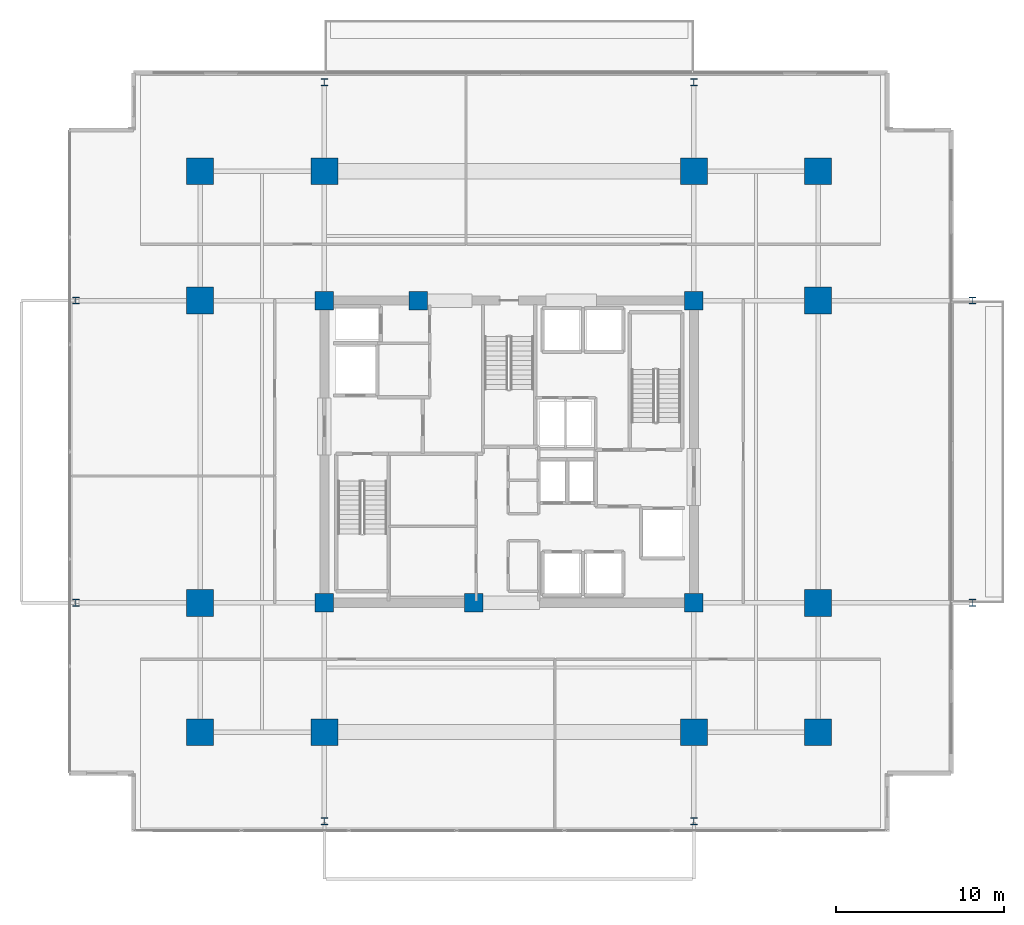
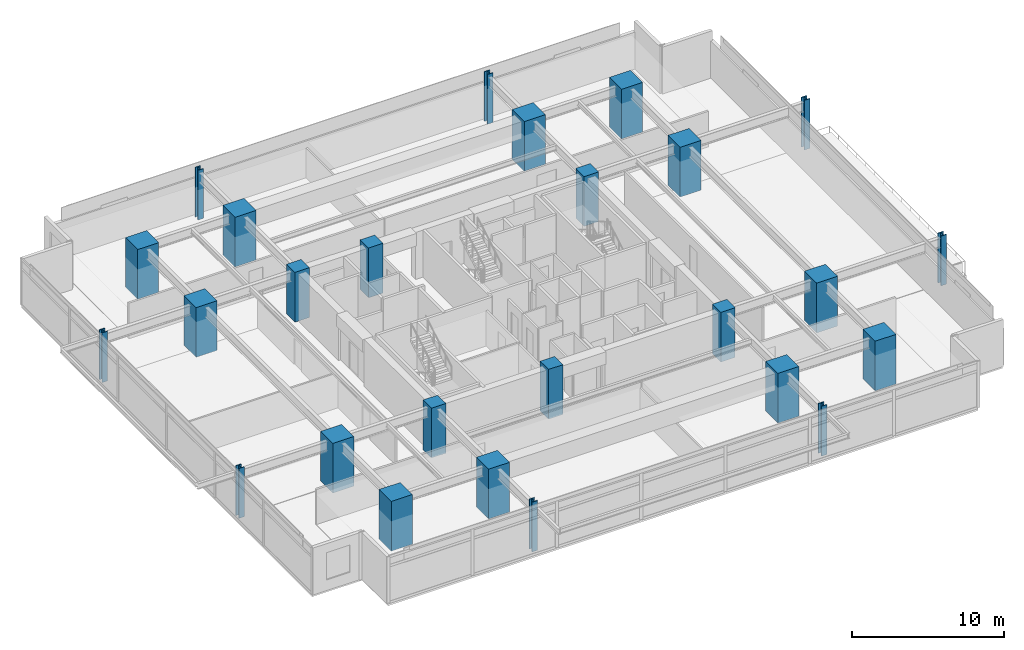
# One storey, part 1 of 24: 26 columns.
"""IFC4 building model written with IfcOpenShell, lengths in metres."""

from ifc_helpers import new_model, si_unit, direction, frame, origin, origin_2d, place, context, subcontext, project, spatial, rectangle, i_section, extrude, material, material_profile, profile_set, type_object, element, save


model = new_model("IFC4")

# Units and contexts
model_context = context("Model", 3, precision=1e-05, world=origin(), true_north=direction((0.0, 1.0)))
body_context = subcontext(model_context, "Body", "Model", "MODEL_VIEW")
ifc_project = project(units=[si_unit("LENGTHUNIT", "METRE"), si_unit("AREAUNIT", "SQUARE_METRE"), si_unit("VOLUMEUNIT", "CUBIC_METRE"), si_unit("PLANEANGLEUNIT", "RADIAN"), si_unit("MASSUNIT", "GRAM", prefix="KILO")], contexts=[model_context])

# Site, building, storey
site_placement = place(None, origin())
site = spatial("IfcSite", under=ifc_project, at=site_placement, CompositionType="ELEMENT")
building_placement = place(site_placement, origin())
building = spatial("IfcBuilding", under=site, at=building_placement, Name="Kovane Verandah Tower", CompositionType="ELEMENT")
storey_placement = place(building_placement, frame((0.0, 0.0, 132.39990234375)))
storey = spatial("IfcBuildingStorey", under=building, at=storey_placement, Name="L30", CompositionType="ELEMENT", Elevation=132.39990234375)

# Columns
ifc_material_1 = material(Name="Concrete C80/95", Category="concrete")
ifc_material_profile_1 = material_profile(ifc_material_1, rectangle(XDim=1.60009765625, YDim=1.60009765625, at=origin_2d()), Name="RC1600x1600")
ifc_profile_set_1 = profile_set([ifc_material_profile_1], Name="Concrete C80/95")
column_type_1 = type_object("IfcColumnType", Name="COL-RC1600", PredefinedType="COLUMN", material=ifc_profile_set_1)
for number, where, z_axis, x_axis, name in (
    (1, (29.0, 10.800048828125, 0.0), (0.0, 0.0, 1.0), (1.0, 0.0, 0.0), "L30 Tower Mega-Column MC-S1"),
    (2, (51.0, 10.800048828125, 0.0), (0.0, 0.0, 1.0), (1.0, 0.0, 0.0), "L30 Tower Mega-Column MC-S2"),
    (3, (29.0, 44.199951171875, 0.0), (0.0, 0.0, 1.0), (1.0, 0.0, 0.0), "L30 Tower Mega-Column MC-N1"),
    (4, (51.0, 44.199951171875, 0.0), (0.0, 0.0, 1.0), (1.0, 0.0, 0.0), "L30 Tower Mega-Column MC-N2"),
    (5, (21.60009765625, 18.5, 0.0), (0.0, 0.0, 1.0), (1.0, 0.0, 0.0), "L30 Tower Mega-Column MC-W1"),
    (6, (21.60009765625, 36.5, 0.0), (0.0, 0.0, 1.0), (1.0, 0.0, 0.0), "L30 Tower Mega-Column MC-W2"),
    (7, (58.39990234375, 18.5, 0.0), (0.0, 0.0, 1.0), (1.0, 0.0, 0.0), "L30 Tower Mega-Column MC-E1"),
    (8, (58.39990234375, 36.5, 0.0), (0.0, 0.0, 1.0), (1.0, 0.0, 0.0), "L30 Tower Mega-Column MC-E2"),
    (9, (21.60009765625, 10.800048828125, 0.0), (0.0, 0.0, 1.0), (1.0, 0.0, 0.0), "L30 Tower Mega-Column MC-SW"),
    (10, (58.39990234375, 10.800048828125, 0.0), (0.0, 0.0, 1.0), (1.0, 0.0, 0.0), "L30 Tower Mega-Column MC-SE"),
    (11, (21.60009765625, 44.199951171875, 0.0), (0.0, 0.0, 1.0), (1.0, 0.0, 0.0), "L30 Tower Mega-Column MC-NW"),
    (12, (58.39990234375, 44.199951171875, 0.0), (0.0, 0.0, 1.0), (1.0, 0.0, 0.0), "L30 Tower Mega-Column MC-NE"),
):
    element("IfcColumn", number, at=place(storey_placement, frame(where, z_axis=z_axis, x_axis=x_axis)), inside=storey, type_object=column_type_1, Name=name, PredefinedType="COLUMN", context=body_context, shape_type="SweptSolid", body=[
        extrude(rectangle(XDim=1.60009765625, YDim=1.60009765625, at=origin_2d()), origin(), (0.0, 0.0, 1.0), 4.0),
    ])
ifc_material_2 = material(Name="Steel S460", Category="steel")
ifc_material_profile_2 = material_profile(ifc_material_2, i_section(OverallWidth=0.412109375, OverallDepth=0.4365234375, WebThickness=0.035888671875, FlangeThickness=0.05810546875, FilletRadius=0.01513671875, at=origin_2d()), Name="UC356x406x467")
ifc_profile_set_2 = profile_set([ifc_material_profile_2], Name="Steel S460")
column_type_2 = type_object("IfcColumnType", Name="COL-UC467", PredefinedType="COLUMN", material=ifc_profile_set_2)
for number, where, z_axis, x_axis, name in (
    (13, (14.199951171875, 18.5, 0.0), (0.0, 0.0, 1.0), (1.0, 0.0, 0.0), "L30 Verandah Perimeter Column VC-W1"),
    (14, (14.199951171875, 36.5, 0.0), (0.0, 0.0, 1.0), (1.0, 0.0, 0.0), "L30 Verandah Perimeter Column VC-W2"),
    (15, (67.60009765625, 18.5, 0.0), (0.0, 0.0, 1.0), (1.0, 0.0, 0.0), "L30 Verandah Perimeter Column VC-E1"),
    (16, (67.60009765625, 36.5, 0.0), (0.0, 0.0, 1.0), (1.0, 0.0, 0.0), "L30 Verandah Perimeter Column VC-E2"),
    (17, (29.0, 5.5, 0.0), (0.0, 0.0, 1.0), (1.0, 0.0, 0.0), "L30 Verandah Perimeter Column VC-S1"),
    (18, (51.0, 5.5, 0.0), (0.0, 0.0, 1.0), (1.0, 0.0, 0.0), "L30 Verandah Perimeter Column VC-S2"),
    (19, (29.0, 49.5, 0.0), (0.0, 0.0, 1.0), (1.0, 0.0, 0.0), "L30 Verandah Perimeter Column VC-N1"),
    (20, (51.0, 49.5, 0.0), (0.0, 0.0, 1.0), (1.0, 0.0, 0.0), "L30 Verandah Perimeter Column VC-N2"),
):
    element("IfcColumn", number, at=place(storey_placement, frame(where, z_axis=z_axis, x_axis=x_axis)), inside=storey, type_object=column_type_2, Name=name, PredefinedType="COLUMN", context=body_context, shape_type="SweptSolid", body=[
        extrude(i_section(OverallWidth=0.412109375, OverallDepth=0.4365234375, WebThickness=0.035888671875, FlangeThickness=0.05810546875, FilletRadius=0.01513671875, at=origin_2d()), origin(), (0.0, 0.0, 1.0), 4.0),
    ])
ifc_material_profile_3 = material_profile(ifc_material_1, rectangle(XDim=1.10009765625, YDim=1.10009765625, at=origin_2d()), Name="RC1100x1100")
ifc_profile_set_3 = profile_set([ifc_material_profile_3], Name="Concrete C80/95")
column_type_3 = type_object("IfcColumnType", Name="PIL-RC1100", PredefinedType="PILASTER", material=ifc_profile_set_3)
for number, where, z_axis, x_axis, name in (
    (21, (29.0, 18.5, 0.0), (0.0, 0.0, 1.0), (1.0, 0.0, 0.0), "L30 Core Pilaster CP-SW"),
    (22, (51.0, 18.5, 0.0), (0.0, 0.0, 1.0), (1.0, 0.0, 0.0), "L30 Core Pilaster CP-SE"),
    (23, (29.0, 36.5, 0.0), (0.0, 0.0, 1.0), (1.0, 0.0, 0.0), "L30 Core Pilaster CP-NW"),
    (24, (51.0, 36.5, 0.0), (0.0, 0.0, 1.0), (1.0, 0.0, 0.0), "L30 Core Pilaster CP-NE"),
    (25, (37.89990234375, 18.5, 0.0), (0.0, 0.0, 1.0), (1.0, 0.0, 0.0), "L30 Core Pilaster CP-S"),
    (26, (34.60009765625, 36.5, 0.0), (0.0, 0.0, 1.0), (1.0, 0.0, 0.0), "L30 Core Pilaster CP-N"),
):
    element("IfcColumn", number, at=place(storey_placement, frame(where, z_axis=z_axis, x_axis=x_axis)), inside=storey, type_object=column_type_3, Name=name, PredefinedType="PILASTER", context=body_context, shape_type="SweptSolid", body=[
        extrude(rectangle(XDim=1.10009765625, YDim=1.10009765625, at=origin_2d()), origin(), (0.0, 0.0, 1.0), 4.0),
    ])

save(model, "model.ifc")
